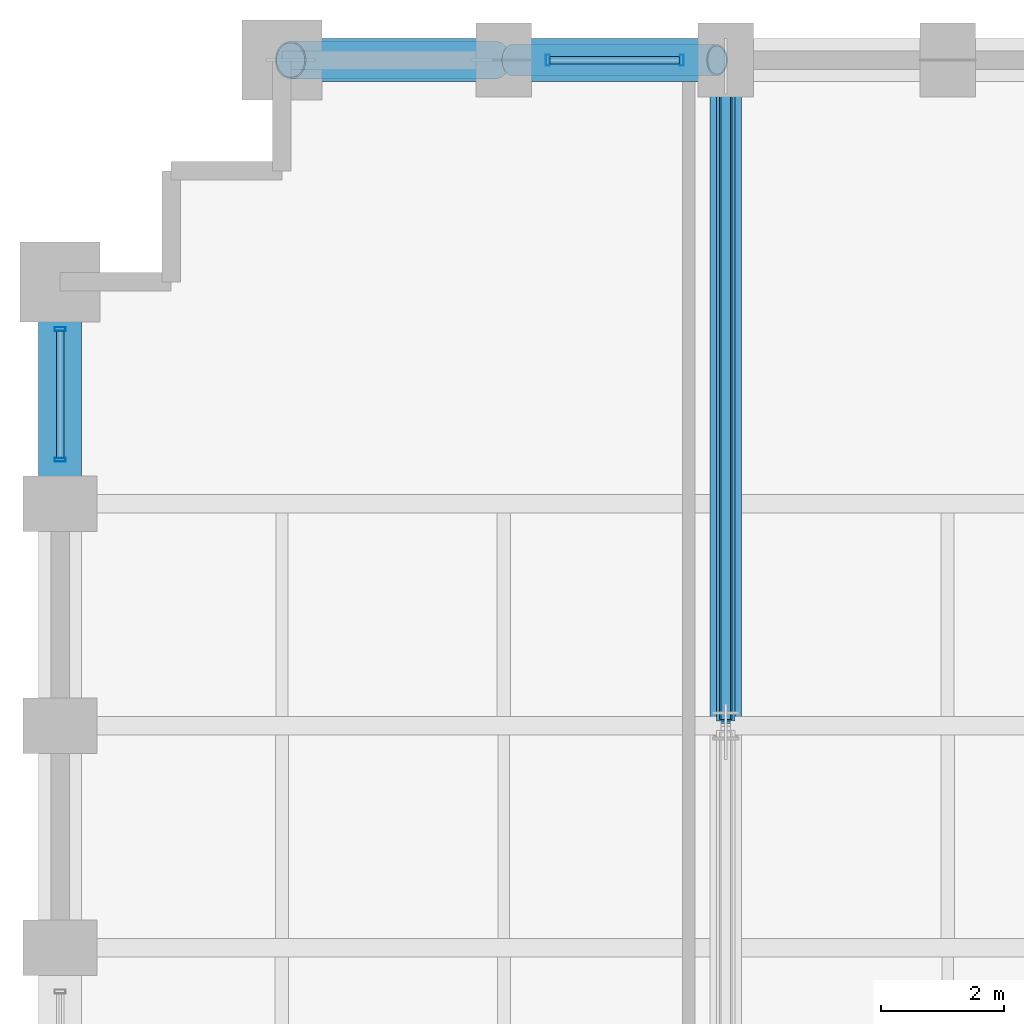
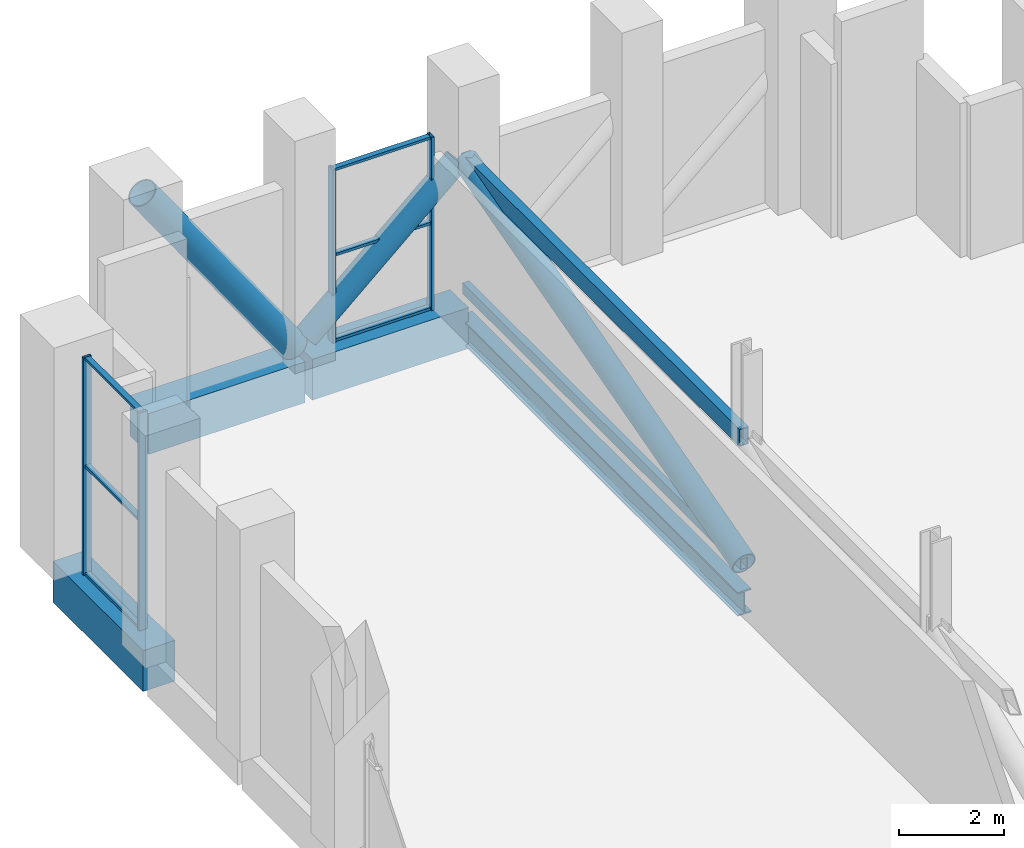
# One storey, part 17 of 27: 15 members, 4 beams, 2 elements without a shape of their own.
"""IFC4 building model written with IfcOpenShell, lengths in metres."""

from ifc_helpers import new_model, si_unit, direction, frame, origin, origin_2d, place, context, subcontext, project, spatial, rectangle, hollow_rectangle, hollow_circle, i_section, extrude, material, layer, layer_set, material_profile, profile_set, type_object, element, aggregate, save


model = new_model("IFC4")

# Units and contexts
model_context = context("Model", 3, precision=1e-05, world=origin(), true_north=direction((0.0, 1.0)))
body_context = subcontext(model_context, "Body", "Model", "MODEL_VIEW")
ifc_project = project(units=[si_unit("LENGTHUNIT", "METRE"), si_unit("AREAUNIT", "SQUARE_METRE"), si_unit("VOLUMEUNIT", "CUBIC_METRE"), si_unit("PLANEANGLEUNIT", "RADIAN"), si_unit("MASSUNIT", "GRAM", prefix="KILO")], contexts=[model_context])

# Site, building, storey
site_placement = place(None, origin())
site = spatial("IfcSite", under=ifc_project, at=site_placement, CompositionType="ELEMENT")
building_placement = place(site_placement, origin())
building = spatial("IfcBuilding", under=site, at=building_placement, Name="Solnavia Interchange Tower", CompositionType="ELEMENT")
storey_placement = place(building_placement, frame((0.0, 0.0, 74.699951171875)))
storey = spatial("IfcBuildingStorey", under=building, at=storey_placement, Name="L18", CompositionType="ELEMENT", Elevation=74.699951171875)

# Beams
ifc_material_1 = material(Name="Steel S460", Category="steel")
ifc_material_profile_1 = material_profile(ifc_material_1, i_section(OverallWidth=0.300048828125, OverallDepth=0.550048828125, WebThickness=0.014892578125, FlangeThickness=0.029052734375, FilletRadius=0.027099609375, at=origin_2d()), Name="HEB 550")
ifc_profile_set_1 = profile_set([ifc_material_profile_1], Name="Steel S460")
beam_type_1 = type_object("IfcBeamType", Name="Beam-Girder-HEB550", PredefinedType="BEAM", material=ifc_profile_set_1)
beam_1_placement = place(storey_placement, frame((18.0, 39.679931640625, -0.594970703125), z_axis=(0.0, 1.0, 0.0), x_axis=(-1.0, 0.0, 0.0)))
element("IfcBeam", 1, at=beam_1_placement, inside=storey, type_object=beam_type_1, Name="GRD-L18-NS14 North wing spine girder", PredefinedType="BEAM", context=body_context, shape_type="SweptSolid", body=[
    extrude(i_section(OverallWidth=0.300048828125, OverallDepth=0.550048828125, WebThickness=0.014892578125, FlangeThickness=0.029052734375, FilletRadius=0.027099609375, at=origin_2d()), origin(), (0.0, 0.0, 1.0), 10.64013671875),
])
ifc_material_2 = material(Name="Concrete C50/60", Category="concrete")
ifc_material_profile_2 = material_profile(ifc_material_2, rectangle(XDim=0.699951171875, YDim=0.949951171875, at=origin_2d()), Name="RC 700x950")
ifc_profile_set_2 = profile_set([ifc_material_profile_2], Name="Concrete C50/60")
beam_type_2 = type_object("IfcBeamType", Name="Beam-Spandrel-RC700x950", PredefinedType="SPANDREL", material=ifc_profile_set_2)
beam_2_placement = place(storey_placement, frame((17.919921875, 50.39990234375, -0.474853515625), z_axis=(-1.0, 0.0, 0.0), x_axis=(0.0, -1.0, 0.0)))
element("IfcBeam", 2, at=beam_2_placement, inside=storey, type_object=beam_type_2, Name="SPB-L18-36 Framed-tube perimeter spandrel beam", PredefinedType="SPANDREL", context=body_context, shape_type="SweptSolid", body=[
    extrude(rectangle(XDim=0.699951171875, YDim=0.949951171875, at=origin_2d()), origin(), (0.0, 0.0, 1.0), 3.43994140625),
])
beam_3_placement = place(storey_placement, frame((14.320068359375, 50.39990234375, -0.474853515625), z_axis=(-1.0, 0.0, 0.0), x_axis=(0.0, -1.0, 0.0)))
element("IfcBeam", 3, at=beam_3_placement, inside=storey, type_object=beam_type_2, Name="SPB-L18-37 Framed-tube perimeter spandrel beam", PredefinedType="SPANDREL", context=body_context, shape_type="SweptSolid", body=[
    extrude(rectangle(XDim=0.699951171875, YDim=0.949951171875, at=origin_2d()), origin(), (0.0, 0.0, 1.0), 3.440185546875),
])
beam_4_placement = place(storey_placement, frame((7.199951171875, 46.719970703125, -0.474853515625), z_axis=(0.0, -1.0, 0.0), x_axis=(1.0, 0.0, 0.0)))
element("IfcBeam", 4, at=beam_4_placement, inside=storey, type_object=beam_type_2, Name="SPB-L18-38 Framed-tube perimeter spandrel beam", PredefinedType="SPANDREL", context=body_context, shape_type="SweptSolid", body=[
    extrude(rectangle(XDim=0.699951171875, YDim=0.949951171875, at=origin_2d()), origin(), (0.0, 0.0, 1.0), 3.43994140625),
])

# Member
ifc_material_profile_3 = material_profile(ifc_material_1, hollow_circle(Radius=0.304931640625, WallThickness=0.02490234375, at=origin_2d()), Name="CHS 610x25")
ifc_profile_set_3 = profile_set([ifc_material_profile_3], Name="Steel S460")
member_type_1 = type_object("IfcMemberType", Name="Brace-Perim-CHS610", PredefinedType="BRACE", material=ifc_profile_set_3)
member_1_placement = place(storey_placement, frame((14.260009765625, 50.39990234375, 0.179931640625), z_axis=(-0.575312099507, 0.0, 0.817933975429), x_axis=(0.0, -1.0, 0.0)))
element("IfcMember", 5, at=member_1_placement, inside=storey, type_object=member_type_1, Name="BRC-L18-04 Perimeter tube diagonal brace", PredefinedType="BRACE", context=body_context, shape_type="SweptSolid", body=[
    extrude(hollow_circle(Radius=0.304931640625, WallThickness=0.02490234375, at=origin_2d()), origin(), (0.0, 0.0, 1.0), 5.77099609375),
])

# Curtain wall, members
ifc_material_3 = material(Name="Aluminium Alloy 6063-T6", Category="aluminium")
ifc_layer = layer(ifc_material_3, 0.199951171875)
ifc_layer_set = layer_set([ifc_layer], Name="Aluminium Alloy 6063-T6")
curtain_wall_type = type_object("IfcCurtainWallType", Name="CurtainWall-Louvre-CTW5", PredefinedType="NOTDEFINED", material=ifc_layer_set)
curtain_wall_1_placement = place(storey_placement, origin())
curtain_wall_1 = element("IfcCurtainWall", 6, at=curtain_wall_1_placement, inside=storey, type_object=curtain_wall_type, Name="CTW-L18-L42 CTW-5 curtain wall", PredefinedType="NOTDEFINED")
ifc_material_profile_4 = material_profile(ifc_material_3, hollow_rectangle(XDim=0.06494140625, YDim=0.179931640625, WallThickness=0.00439453125, at=origin_2d()), Name="ALU 180x65x4.5")
ifc_profile_set_4 = profile_set([ifc_material_profile_4], Name="Aluminium Alloy 6063-T6")
member_type_2 = type_object("IfcMemberType", Name="CW-Mullion-CWM-5", PredefinedType="MULLION", material=ifc_profile_set_4)
member_2_placement = place(storey_placement, frame((17.284912109375, 50.39990234375, 0.0), z_axis=(0.0, 0.0, 1.0), x_axis=(-1.0, 0.0, 0.0)))
member_2 = element("IfcMember", 7, at=member_2_placement, type_object=member_type_2, Name="CTW-5 mullion 1", PredefinedType="MULLION", context=body_context, shape_type="SweptSolid", body=[
    extrude(hollow_rectangle(XDim=0.06494140625, YDim=0.179931640625, WallThickness=0.00439453125, at=origin_2d()), origin(), (0.0, 0.0, 1.0), 4.030029296875),
])
member_3_placement = place(storey_placement, frame((15.114990234375, 50.39990234375, 0.0), z_axis=(0.0, 0.0, 1.0), x_axis=(-1.0, 0.0, 0.0)))
member_3 = element("IfcMember", 8, at=member_3_placement, type_object=member_type_2, Name="CTW-5 mullion 2", PredefinedType="MULLION", context=body_context, shape_type="SweptSolid", body=[
    extrude(hollow_rectangle(XDim=0.06494140625, YDim=0.179931640625, WallThickness=0.00439453125, at=origin_2d()), origin(), (0.0, 0.0, 1.0), 4.030029296875),
])

curtain_wall_2_placement = place(storey_placement, origin())
curtain_wall_2 = element("IfcCurtainWall", 9, at=curtain_wall_2_placement, inside=storey, type_object=curtain_wall_type, Name="CTW-L18-L48 CTW-5 curtain wall", PredefinedType="NOTDEFINED")
member_4_placement = place(storey_placement, frame((7.199951171875, 46.034912109375, 0.0), z_axis=(0.0, 0.0, 1.0), x_axis=(0.0, -1.0, 0.0)))
member_4 = element("IfcMember", 10, at=member_4_placement, type_object=member_type_2, Name="CTW-5 mullion 1", PredefinedType="MULLION", context=body_context, shape_type="SweptSolid", body=[
    extrude(hollow_rectangle(XDim=0.06494140625, YDim=0.179931640625, WallThickness=0.00439453125, at=origin_2d()), origin(), (0.0, 0.0, 1.0), 5.06494140625),
])
member_5_placement = place(storey_placement, frame((7.199951171875, 43.9150390625, 0.0), z_axis=(0.0, 0.0, 1.0), x_axis=(0.0, -1.0, 0.0)))
member_5 = element("IfcMember", 11, at=member_5_placement, type_object=member_type_2, Name="CTW-5 mullion 2", PredefinedType="MULLION", context=body_context, shape_type="SweptSolid", body=[
    extrude(hollow_rectangle(XDim=0.06494140625, YDim=0.179931640625, WallThickness=0.00439453125, at=origin_2d()), origin(), (0.0, 0.0, 1.0), 5.06494140625),
])

# Member
ifc_material_profile_5 = material_profile(ifc_material_3, hollow_rectangle(XDim=0.06005859375, YDim=0.1201171875, WallThickness=0.00390625, at=origin_2d()), Name="ALU 120x60x4")
ifc_profile_set_5 = profile_set([ifc_material_profile_5], Name="Aluminium Alloy 6063-T6")
member_type_3 = type_object("IfcMemberType", Name="CW-Transom-CWT-5", PredefinedType="USERDEFINED", material=ifc_profile_set_5)
member_6_placement = place(storey_placement, frame((17.25244140625, 50.39990234375, 0.030029296875), z_axis=(-1.0, 0.0, 0.0), x_axis=(0.0, 0.0, 1.0)))
member_6 = element("IfcMember", 12, at=member_6_placement, type_object=member_type_3, Name="CTW-5 transom 1.1", ObjectType="TRANSOM", PredefinedType="USERDEFINED", context=body_context, shape_type="SweptSolid", body=[
    extrude(hollow_rectangle(XDim=0.06005859375, YDim=0.1201171875, WallThickness=0.00390625, at=origin_2d()), origin(), (0.0, 0.0, 1.0), 2.10498046875),
])

member_7_placement = place(storey_placement, frame((17.25244140625, 50.39990234375, 2.01513671875), z_axis=(-1.0, 0.0, 0.0), x_axis=(0.0, 0.0, 1.0)))
member_7 = element("IfcMember", 13, at=member_7_placement, type_object=member_type_3, Name="CTW-5 transom 1.2", ObjectType="TRANSOM", PredefinedType="USERDEFINED", context=body_context, shape_type="SweptSolid", body=[
    extrude(hollow_rectangle(XDim=0.06005859375, YDim=0.1201171875, WallThickness=0.00390625, at=origin_2d()), origin(), (0.0, 0.0, 1.0), 2.10498046875),
])

member_8_placement = place(storey_placement, frame((17.25244140625, 50.39990234375, 4.0), z_axis=(-1.0, 0.0, 0.0), x_axis=(0.0, 0.0, 1.0)))
member_8 = element("IfcMember", 14, at=member_8_placement, type_object=member_type_3, Name="CTW-5 transom 1.3", ObjectType="TRANSOM", PredefinedType="USERDEFINED", context=body_context, shape_type="SweptSolid", body=[
    extrude(hollow_rectangle(XDim=0.06005859375, YDim=0.1201171875, WallThickness=0.00390625, at=origin_2d()), origin(), (0.0, 0.0, 1.0), 2.10498046875),
])

aggregate(curtain_wall_1, [member_2, member_3, member_6, member_7, member_8])

member_9_placement = place(storey_placement, frame((7.199951171875, 46.00244140625, 0.030029296875), z_axis=(0.0, -1.0, 0.0), x_axis=(0.0, 0.0, 1.0)))
member_9 = element("IfcMember", 15, at=member_9_placement, type_object=member_type_3, Name="CTW-5 transom 1.1", ObjectType="TRANSOM", PredefinedType="USERDEFINED", context=body_context, shape_type="SweptSolid", body=[
    extrude(hollow_rectangle(XDim=0.06005859375, YDim=0.1201171875, WallThickness=0.00390625, at=origin_2d()), origin(), (0.0, 0.0, 1.0), 2.054931640625),
])

member_10_placement = place(storey_placement, frame((7.199951171875, 46.00244140625, 2.532958984375), z_axis=(0.0, -1.0, 0.0), x_axis=(0.0, 0.0, 1.0)))
member_10 = element("IfcMember", 16, at=member_10_placement, type_object=member_type_3, Name="CTW-5 transom 1.2", ObjectType="TRANSOM", PredefinedType="USERDEFINED", context=body_context, shape_type="SweptSolid", body=[
    extrude(hollow_rectangle(XDim=0.06005859375, YDim=0.1201171875, WallThickness=0.00390625, at=origin_2d()), origin(), (0.0, 0.0, 1.0), 2.054931640625),
])

member_11_placement = place(storey_placement, frame((7.199951171875, 46.00244140625, 5.03515625), z_axis=(0.0, -1.0, 0.0), x_axis=(0.0, 0.0, 1.0)))
member_11 = element("IfcMember", 17, at=member_11_placement, type_object=member_type_3, Name="CTW-5 transom 1.3", ObjectType="TRANSOM", PredefinedType="USERDEFINED", context=body_context, shape_type="SweptSolid", body=[
    extrude(hollow_rectangle(XDim=0.06005859375, YDim=0.1201171875, WallThickness=0.00390625, at=origin_2d()), origin(), (0.0, 0.0, 1.0), 2.054931640625),
])

aggregate(curtain_wall_2, [member_4, member_5, member_9, member_10, member_11])

# Members
ifc_material_4 = material(Name="Steel S355", Category="steel")
ifc_material_profile_6 = material_profile(ifc_material_4, hollow_rectangle(XDim=0.14990234375, YDim=0.25, WallThickness=0.010009765625, at=origin_2d()), Name="RHS 250x150x10")
ifc_profile_set_6 = profile_set([ifc_material_profile_6], Name="Steel S355")
member_type_4 = type_object("IfcMemberType", Name="Outrigger-Chord-RHS250", PredefinedType="CHORD", material=ifc_profile_set_6)
member_12_placement = place(storey_placement, frame((18.0, 39.699951171875, 0.300048828125), z_axis=(0.0, 1.0, 0.0), x_axis=(-1.0, 0.0, 0.0)))
element("IfcMember", 18, at=member_12_placement, inside=storey, type_object=member_type_4, Name="OTR-L18-BC05 Outrigger bottom chord", PredefinedType="CHORD", context=body_context, shape_type="SweptSolid", body=[
    extrude(hollow_rectangle(XDim=0.14990234375, YDim=0.25, WallThickness=0.010009765625, at=origin_2d()), origin(), (0.0, 0.0, 1.0), 10.60009765625),
])
ifc_material_profile_7 = material_profile(ifc_material_1, hollow_rectangle(XDim=0.199951171875, YDim=0.39990234375, WallThickness=0.01611328125, at=origin_2d()), Name="RHS 400x200x16")
ifc_profile_set_7 = profile_set([ifc_material_profile_7], Name="Steel S460")
member_type_5 = type_object("IfcMemberType", Name="Outrigger-Chord-RHS400", PredefinedType="CHORD", material=ifc_profile_set_7)
member_13_placement = place(storey_placement, frame((18.0, 39.699951171875, 3.25), z_axis=(0.0, 1.0, 0.0), x_axis=(-1.0, 0.0, 0.0)))
element("IfcMember", 19, at=member_13_placement, inside=storey, type_object=member_type_5, Name="OTR-L18-TC05 Outrigger top chord", PredefinedType="CHORD", context=body_context, shape_type="SweptSolid", body=[
    extrude(hollow_rectangle(XDim=0.199951171875, YDim=0.39990234375, WallThickness=0.01611328125, at=origin_2d()), origin(), (0.0, 0.0, 1.0), 10.60009765625),
])
ifc_material_profile_8 = material_profile(ifc_material_1, hollow_circle(Radius=0.25390625, WallThickness=0.02490234375, at=origin_2d()), Name="CHS 508x25")
ifc_profile_set_8 = profile_set([ifc_material_profile_8], Name="Steel S460")
member_type_6 = type_object("IfcMemberType", Name="Outrigger-Diag-CHS508", PredefinedType="BRACE", material=ifc_profile_set_8)
member_14_placement = place(storey_placement, frame((18.0, 39.699951171875, 0.300048828125), z_axis=(0.0, 0.963389371219, 0.26810617192), x_axis=(-1.0, 0.0, 0.0)))
element("IfcMember", 20, at=member_14_placement, inside=storey, type_object=member_type_6, Name="OTR-L18-DG05 Outrigger truss diagonal", PredefinedType="BRACE", context=body_context, shape_type="SweptSolid", body=[
    extrude(hollow_circle(Radius=0.25390625, WallThickness=0.02490234375, at=origin_2d()), origin(), (0.0, 0.0, 1.0), 11.0029296875),
])
member_15_placement = place(storey_placement, frame((14.5400390625, 50.39990234375, 0.300048828125), z_axis=(0.747545781752, 0.0, 0.664210286118), x_axis=(0.0, 1.0, 0.0)))
element("IfcMember", 21, at=member_15_placement, inside=storey, type_object=member_type_6, Name="OTR-L18-BT11 Belt truss diagonal", PredefinedType="BRACE", context=body_context, shape_type="SweptSolid", body=[
    extrude(hollow_circle(Radius=0.25390625, WallThickness=0.02490234375, at=origin_2d()), origin(), (0.0, 0.0, 1.0), 4.44140625),
])

save(model, "model.ifc")
